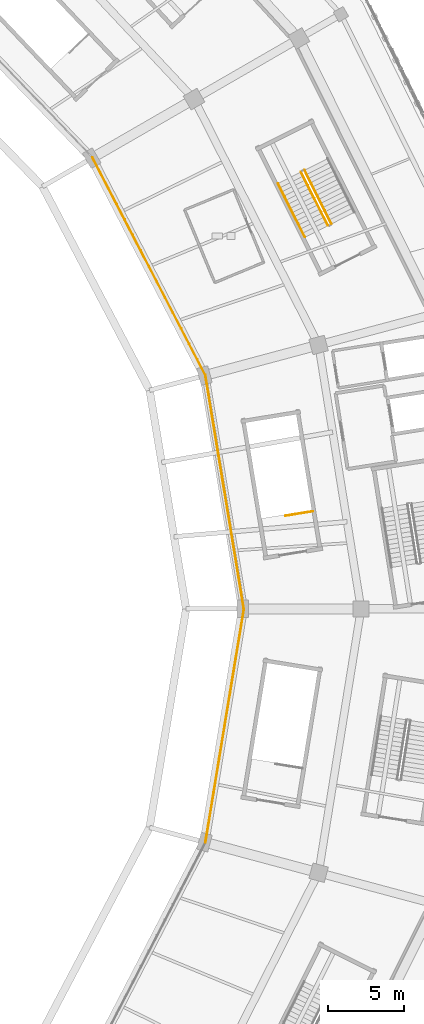
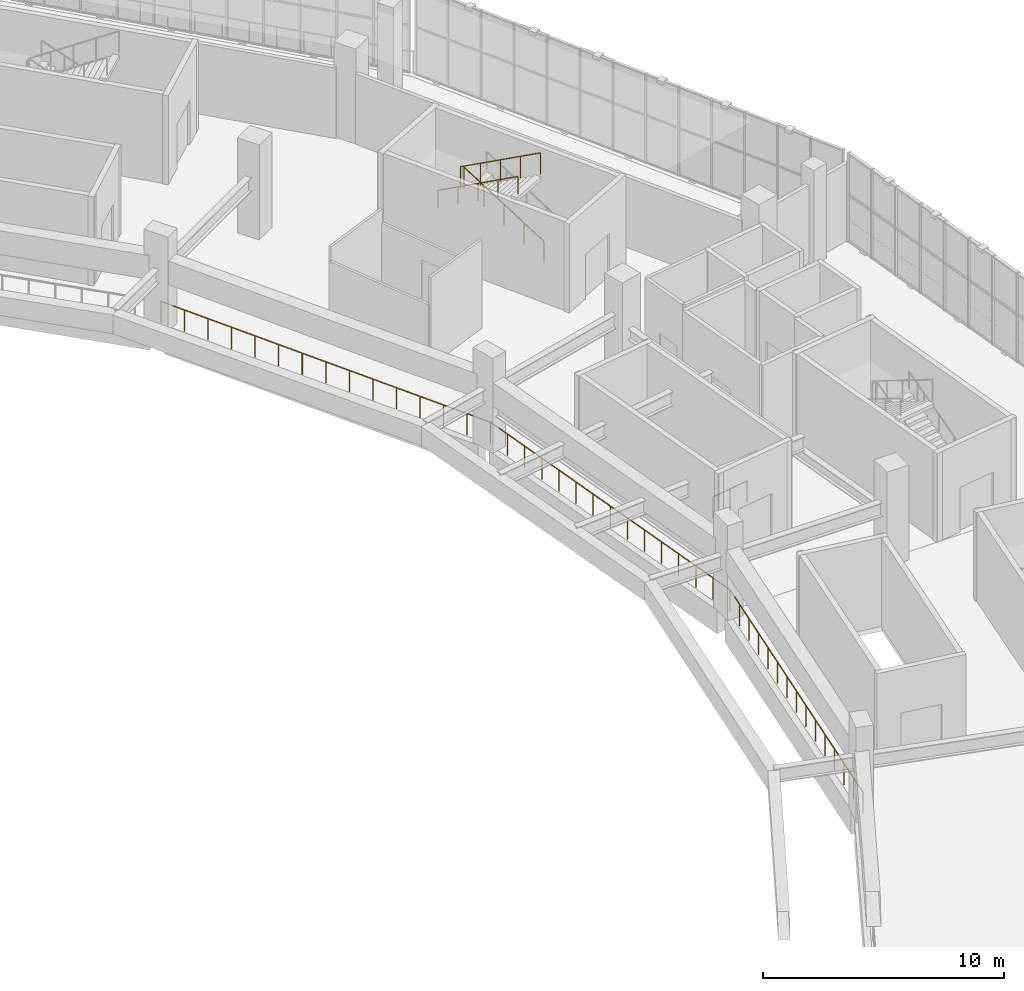
# One storey, part 152 of 179: 7 railings.
"""IFC4 building model written with IfcOpenShell, lengths in metres."""

import ifcopenshell
import ifcopenshell.guid

model = None  # the IFC model being written
_history = None  # IfcOwnerHistory: only IFC2X3 demands one
_inside = {}  # id of a spatial element -> (the spatial element, [elements in it])
_under = {}  # id of a project, library or spatial element -> (it, [spatial elements below it])
_declared = {}  # id of a project -> (the project, [libraries it declares])
_typed = {}  # id of a type object -> (the type object, [elements of that type])
_made_of = {}  # id of a material, layer set ... -> (it, [elements and type objects made of it])


def new_model(schema):
    """Start an empty IFC model of exactly this schema.

    Asked for "IFC4X3", IfcOpenShell would pick the latest addendum, in which some entities
    have other attributes; the version numbers below select the first issue.
    IFC2X3 requires an IfcOwnerHistory on every rooted entity: one is made here for all.
    """
    global model, _history
    if schema == "IFC4X3":
        model = ifcopenshell.file(schema_version=(4, 3, 0, 0))
    else:
        model = ifcopenshell.file(schema=schema)
    _inside.clear()
    _under.clear()
    _declared.clear()
    _typed.clear()
    _made_of.clear()
    _history = None
    if model.schema == "IFC2X3":
        org = make("IfcOrganization", Name="unknown")
        user = make(
            "IfcPersonAndOrganization",
            ThePerson=make("IfcPerson", FamilyName="unknown"),
            TheOrganization=org,
        )
        app = make(
            "IfcApplication",
            ApplicationDeveloper=org,
            Version="unknown",
            ApplicationFullName="unknown",
            ApplicationIdentifier="unknown",
        )
        _history = make(
            "IfcOwnerHistory",
            OwningUser=user,
            OwningApplication=app,
            ChangeAction="ADDED",
            CreationDate=0,
        )
    return model


def make(cls, **values):
    """One entity of the class cls with the attributes given. An attribute that is None is left unset."""
    return model.create_entity(
        cls, **{name: value for name, value in values.items() if value is not None}
    )


def rooted(cls, **values):
    """An entity with a GlobalId (a new one), such as an element, a storey or a relation."""
    return make(cls, GlobalId=ifcopenshell.guid.new(), OwnerHistory=_history, **values)


def si_unit(unit_type, name, prefix=None):
    """IfcSIUnit, for example si_unit("LENGTHUNIT", "METRE", prefix="MILLI")."""
    return make("IfcSIUnit", UnitType=unit_type, Prefix=prefix, Name=name)


def assignment(units):
    """IfcUnitAssignment: the units of a project."""
    return None if units is None else make("IfcUnitAssignment", Units=units)


def point(xyz):
    """IfcCartesianPoint."""
    return None if xyz is None else make("IfcCartesianPoint", Coordinates=xyz)


def direction(xyz):
    """IfcDirection."""
    return None if xyz is None else make("IfcDirection", DirectionRatios=xyz)


def frame(location, z_axis=None, x_axis=None):
    """IfcAxis2Placement3D, a coordinate frame: its origin and axes. An axis left out is left unset."""
    return make(
        "IfcAxis2Placement3D",
        Location=point(location),
        Axis=direction(z_axis),
        RefDirection=direction(x_axis),
    )


def frame_2d(location, x_axis=None):
    """IfcAxis2Placement2D, a coordinate frame in the plane: its origin and x axis."""
    return make(
        "IfcAxis2Placement2D", Location=point(location), RefDirection=direction(x_axis)
    )


def origin():
    """The frame at (0, 0, 0) with its axes left unset."""
    return frame((0.0, 0.0, 0.0))


def origin_2d():
    """The frame at (0, 0) in the plane with its x axis left unset."""
    return frame_2d((0.0, 0.0))


def place(relative_to, where):
    """IfcLocalPlacement: puts the frame where relative to a parent placement (None: the world)."""
    return make(
        "IfcLocalPlacement", PlacementRelTo=relative_to, RelativePlacement=where
    )


def context(
    kind, dimensions, precision=None, world=None, true_north=None, identifier=None
):
    """IfcGeometricRepresentationContext, for example the 3D "Model" context."""
    return make(
        "IfcGeometricRepresentationContext",
        ContextIdentifier=identifier,
        ContextType=kind,
        CoordinateSpaceDimension=dimensions,
        Precision=precision,
        WorldCoordinateSystem=world,
        TrueNorth=true_north,
    )


def subcontext(parent, identifier, kind, view, scale=None):
    """IfcGeometricRepresentationSubContext, for example "Body" below "Model"."""
    return make(
        "IfcGeometricRepresentationSubContext",
        ContextIdentifier=identifier,
        ContextType=kind,
        ParentContext=parent,
        TargetScale=scale,
        TargetView=view,
    )


def project(units=None, contexts=None):
    """IfcProject with its units and contexts."""
    return rooted(
        "IfcProject",
        Name="project",
        RepresentationContexts=contexts,
        UnitsInContext=assignment(units),
    )


def spatial(cls, under=None, at=None, **own):
    """A site, building, storey or space (cls), placed at a placement, below another one or the project."""
    s = rooted(cls, ObjectPlacement=at, **own)
    if under is not None:
        _under.setdefault(under.id(), (under, []))[1].append(s)
    return s


def profile(cls, at=None, kind="AREA", **sizes):
    """A parametric profile (cls). Its sizes go by their IFC names, for example OverallWidth=200.0."""
    return make(cls, ProfileType=kind, Position=at, **sizes)


def circle(**sizes):
    """IfcCircleProfileDef."""
    return profile("IfcCircleProfileDef", **sizes)


def extrude(swept, where, along, depth):
    """IfcExtrudedAreaSolid: the profile swept, set in the frame where, extruded along a direction by depth."""
    return make(
        "IfcExtrudedAreaSolid",
        SweptArea=swept,
        Position=where,
        ExtrudedDirection=direction(along),
        Depth=depth,
    )


def shape(context_of_items, identifier, shape_type, items):
    """IfcShapeRepresentation: the items that make up one representation, for example the "Body"."""
    return make(
        "IfcShapeRepresentation",
        ContextOfItems=context_of_items,
        RepresentationIdentifier=identifier,
        RepresentationType=shape_type,
        Items=items,
    )


def material(Name=None, Category=None):
    """IfcMaterial."""
    return make("IfcMaterial", Name=Name, Category=Category)


def made_of(thing, what):
    """Note that an element or type object is made of a material, layer set ...; save() writes the relation."""
    if what is not None:
        _made_of.setdefault(what.id(), (what, []))[1].append(thing)
    return thing


def type_object(cls, material=None, **own):
    """A type object (cls), such as IfcWallType, which elements share."""
    return made_of(rooted(cls, **own), material)


def element(
    cls,
    number,
    at=None,
    inside=None,
    cuts=None,
    type_object=None,
    material=None,
    context=None,
    identifier="Body",
    shape_type=None,
    held_by="IfcProductDefinitionShape",
    body=None,
    shapes=None,
    **own,
):
    """One element of the class cls, such as IfcWall. Its Tag is "e" and its number.

    at: its placement. inside: the storey or other place that contains it. cuts: it is an
    opening in that element (IfcRelVoidsElement). A single representation is given by context,
    identifier, shape_type and body (its items); several are given by shapes. held_by: the class
    of the entity that holds the representations. save() writes the other relations.
    """
    e = rooted(cls, Tag="e%d" % number, ObjectPlacement=at, **own)
    if body is not None:
        shapes = [shape(context, identifier, shape_type, body)]
    if shapes is not None:
        e.Representation = make(held_by, Representations=shapes)
    if inside is not None:
        _inside.setdefault(inside.id(), (inside, []))[1].append(e)
    if cuts is not None:
        rooted(
            "IfcRelVoidsElement", RelatingBuildingElement=cuts, RelatedOpeningElement=e
        )
    if type_object is not None:
        _typed.setdefault(type_object.id(), (type_object, []))[1].append(e)
    return made_of(e, material)


def aggregate(whole, parts):
    """IfcRelAggregates: a whole, such as a stair, and the parts it consists of."""
    return rooted("IfcRelAggregates", RelatingObject=whole, RelatedObjects=parts)


def save(model, path):
    """Write the relations noted so far, then the file.

    IfcRelAggregates (storeys below a building ...), IfcRelContainedInSpatialStructure (elements
    in a storey), IfcRelDefinesByType, IfcRelAssociatesMaterial and IfcRelDeclares: one each for
    every whole, place, type object, material and project.
    """
    for whole, parts in _under.values():
        aggregate(whole, parts)
    for where, things in _inside.values():
        rooted(
            "IfcRelContainedInSpatialStructure",
            RelatedElements=things,
            RelatingStructure=where,
        )
    for kind, things in _typed.values():
        rooted("IfcRelDefinesByType", RelatedObjects=things, RelatingType=kind)
    for what, things in _made_of.values():
        rooted("IfcRelAssociatesMaterial", RelatedObjects=things, RelatingMaterial=what)
    for by, libraries in _declared.values():
        rooted("IfcRelDeclares", RelatingContext=by, RelatedDefinitions=libraries)
    model.write(path)


model = new_model("IFC4")

# Units and contexts
model_context = context("Model", 3, precision=1e-05, world=origin(), true_north=direction((0.0, 1.0)))
body_context = subcontext(model_context, "Body", "Model", "MODEL_VIEW")
ifc_project = project(units=[si_unit("LENGTHUNIT", "METRE"), si_unit("AREAUNIT", "SQUARE_METRE"), si_unit("VOLUMEUNIT", "CUBIC_METRE"), si_unit("PLANEANGLEUNIT", "RADIAN"), si_unit("MASSUNIT", "GRAM", prefix="KILO")], contexts=[model_context])

# Site, building, storey
site_placement = place(None, origin())
site = spatial("IfcSite", under=ifc_project, at=site_placement, CompositionType="ELEMENT")
building_placement = place(site_placement, origin())
building = spatial("IfcBuilding", under=site, at=building_placement, Name="Zevraka Park Crest Stadium", CompositionType="ELEMENT")
storey_placement = place(building_placement, frame((0.0, 0.0, 10.199951171875)))
storey = spatial("IfcBuildingStorey", under=building, at=storey_placement, Name="L02", CompositionType="ELEMENT", Elevation=10.199951171875)

# Railings
ifc_material_1 = material(Name="Galvanised and bronze-finished steel balustrade", Category="steel")
railing_type_1 = type_object("IfcRailingType", Name="GR01", PredefinedType="GUARDRAIL", material=ifc_material_1)
railing_1_placement = place(storey_placement, frame((184.02587890625, 76.574951171875, 0.0)))
element("IfcRailing", 1, at=railing_1_placement, inside=storey, type_object=railing_type_1, Name="Deck Edge Protection Guardrail GR01 L02-62", PredefinedType="GUARDRAIL", context=body_context, shape_type="SweptSolid", body=[
    extrude(circle(Radius=0.02392578125, at=origin_2d()), frame((0.0, 0.0, 1.076171875), z_axis=(0.162758060449, 0.986666009224, 0.0), x_axis=(-0.986666009224, 0.162758060449, 0.0)), (0.0, 0.0, 1.0), 15.6123046875),
    extrude(circle(Radius=0.02099609375, at=origin_2d()), origin(), (0.0, 0.0, 1.0), 1.052001953125),
    extrude(circle(Radius=0.02099609375, at=origin_2d()), frame((0.181396484375, 1.100341796875, 0.0)), (0.0, 0.0, 1.0), 1.052001953125),
    extrude(circle(Radius=0.02099609375, at=origin_2d()), frame((0.363037109375, 2.20068359375, 0.0)), (0.0, 0.0, 1.0), 1.052001953125),
    extrude(circle(Radius=0.02099609375, at=origin_2d()), frame((0.54443359375, 3.30078125, 0.0)), (0.0, 0.0, 1.0), 1.052001953125),
    extrude(circle(Radius=0.02099609375, at=origin_2d()), frame((0.72607421875, 4.401123046875, 0.0)), (0.0, 0.0, 1.0), 1.052001953125),
    extrude(circle(Radius=0.02099609375, at=origin_2d()), frame((0.907470703125, 5.50146484375, 0.0)), (0.0, 0.0, 1.0), 1.052001953125),
    extrude(circle(Radius=0.02099609375, at=origin_2d()), frame((1.089111328125, 6.601806640625, 0.0)), (0.0, 0.0, 1.0), 1.052001953125),
    extrude(circle(Radius=0.02099609375, at=origin_2d()), frame((1.2705078125, 7.7021484375, 0.0)), (0.0, 0.0, 1.0), 1.052001953125),
    extrude(circle(Radius=0.02099609375, at=origin_2d()), frame((1.451904296875, 8.80224609375, 0.0)), (0.0, 0.0, 1.0), 1.052001953125),
    extrude(circle(Radius=0.02099609375, at=origin_2d()), frame((1.633544921875, 9.902587890625, 0.0)), (0.0, 0.0, 1.0), 1.052001953125),
    extrude(circle(Radius=0.02099609375, at=origin_2d()), frame((1.81494140625, 11.0029296875, 0.0)), (0.0, 0.0, 1.0), 1.052001953125),
    extrude(circle(Radius=0.02099609375, at=origin_2d()), frame((1.99658203125, 12.103271484375, 0.0)), (0.0, 0.0, 1.0), 1.052001953125),
    extrude(circle(Radius=0.02099609375, at=origin_2d()), frame((2.177978515625, 13.203369140625, 0.0)), (0.0, 0.0, 1.0), 1.052001953125),
    extrude(circle(Radius=0.02099609375, at=origin_2d()), frame((2.359619140625, 14.3037109375, 0.0)), (0.0, 0.0, 1.0), 1.052001953125),
    extrude(circle(Radius=0.02099609375, at=origin_2d()), frame((2.541015625, 15.404052734375, 0.0)), (0.0, 0.0, 1.0), 1.052001953125),
])
railing_2_placement = place(storey_placement, frame((186.56689453125, 91.97900390625, 0.0)))
element("IfcRailing", 2, at=railing_2_placement, inside=storey, type_object=railing_type_1, Name="Deck Edge Protection Guardrail GR01 L02-63", PredefinedType="GUARDRAIL", context=body_context, shape_type="SweptSolid", body=[
    extrude(circle(Radius=0.02392578125, at=origin_2d()), frame((0.0, 0.0, 1.076171875), z_axis=(-0.162327255265, 0.986736977212, 0.0), x_axis=(-0.986736977212, -0.162327255265, 0.0)), (0.0, 0.0, 1.0), 15.653564453125),
    extrude(circle(Radius=0.02099609375, at=origin_2d()), origin(), (0.0, 0.0, 1.0), 1.052001953125),
    extrude(circle(Radius=0.02099609375, at=origin_2d()), frame((-0.181396484375, 1.103271484375, 0.0)), (0.0, 0.0, 1.0), 1.052001953125),
    extrude(circle(Radius=0.02099609375, at=origin_2d()), frame((-0.363037109375, 2.20654296875, 0.0)), (0.0, 0.0, 1.0), 1.052001953125),
    extrude(circle(Radius=0.02099609375, at=origin_2d()), frame((-0.54443359375, 3.309814453125, 0.0)), (0.0, 0.0, 1.0), 1.052001953125),
    extrude(circle(Radius=0.02099609375, at=origin_2d()), frame((-0.72607421875, 4.4130859375, 0.0)), (0.0, 0.0, 1.0), 1.052001953125),
    extrude(circle(Radius=0.02099609375, at=origin_2d()), frame((-0.907470703125, 5.516357421875, 0.0)), (0.0, 0.0, 1.0), 1.052001953125),
    extrude(circle(Radius=0.02099609375, at=origin_2d()), frame((-1.089111328125, 6.61962890625, 0.0)), (0.0, 0.0, 1.0), 1.052001953125),
    extrude(circle(Radius=0.02099609375, at=origin_2d()), frame((-1.2705078125, 7.72314453125, 0.0)), (0.0, 0.0, 1.0), 1.052001953125),
    extrude(circle(Radius=0.02099609375, at=origin_2d()), frame((-1.451904296875, 8.826416015625, 0.0)), (0.0, 0.0, 1.0), 1.052001953125),
    extrude(circle(Radius=0.02099609375, at=origin_2d()), frame((-1.633544921875, 9.9296875, 0.0)), (0.0, 0.0, 1.0), 1.052001953125),
    extrude(circle(Radius=0.02099609375, at=origin_2d()), frame((-1.81494140625, 11.032958984375, 0.0)), (0.0, 0.0, 1.0), 1.052001953125),
    extrude(circle(Radius=0.02099609375, at=origin_2d()), frame((-1.99658203125, 12.13623046875, 0.0)), (0.0, 0.0, 1.0), 1.052001953125),
    extrude(circle(Radius=0.02099609375, at=origin_2d()), frame((-2.177978515625, 13.239501953125, 0.0)), (0.0, 0.0, 1.0), 1.052001953125),
    extrude(circle(Radius=0.02099609375, at=origin_2d()), frame((-2.359619140625, 14.3427734375, 0.0)), (0.0, 0.0, 1.0), 1.052001953125),
    extrude(circle(Radius=0.02099609375, at=origin_2d()), frame((-2.541015625, 15.446044921875, 0.0)), (0.0, 0.0, 1.0), 1.052001953125),
])
railing_3_placement = place(storey_placement, frame((184.02587890625, 107.425048828125, 0.0)))
element("IfcRailing", 3, at=railing_3_placement, inside=storey, type_object=railing_type_1, Name="Deck Edge Protection Guardrail GR01 L02-64", PredefinedType="GUARDRAIL", context=body_context, shape_type="SweptSolid", body=[
    extrude(circle(Radius=0.02392578125, at=origin_2d()), frame((0.0, 0.0, 1.076171875), z_axis=(-0.460468997902, 0.887675786518, 0.0), x_axis=(-0.887675786518, -0.460468997902, 0.0)), (0.0, 0.0, 1.0), 16.19189453125),
    extrude(circle(Radius=0.02099609375, at=origin_2d()), origin(), (0.0, 0.0, 1.0), 1.052001953125),
    extrude(circle(Radius=0.02099609375, at=origin_2d()), frame((-0.532470703125, 1.026611328125, 0.0)), (0.0, 0.0, 1.0), 1.052001953125),
    extrude(circle(Radius=0.02099609375, at=origin_2d()), frame((-1.065185546875, 2.05322265625, 0.0)), (0.0, 0.0, 1.0), 1.052001953125),
    extrude(circle(Radius=0.02099609375, at=origin_2d()), frame((-1.59765625, 3.079833984375, 0.0)), (0.0, 0.0, 1.0), 1.052001953125),
    extrude(circle(Radius=0.02099609375, at=origin_2d()), frame((-2.130126953125, 4.106689453125, 0.0)), (0.0, 0.0, 1.0), 1.052001953125),
    extrude(circle(Radius=0.02099609375, at=origin_2d()), frame((-2.662841796875, 5.13330078125, 0.0)), (0.0, 0.0, 1.0), 1.052001953125),
    extrude(circle(Radius=0.02099609375, at=origin_2d()), frame((-3.1953125, 6.159912109375, 0.0)), (0.0, 0.0, 1.0), 1.052001953125),
    extrude(circle(Radius=0.02099609375, at=origin_2d()), frame((-3.72802734375, 7.1865234375, 0.0)), (0.0, 0.0, 1.0), 1.052001953125),
    extrude(circle(Radius=0.02099609375, at=origin_2d()), frame((-4.260498046875, 8.213134765625, 0.0)), (0.0, 0.0, 1.0), 1.052001953125),
    extrude(circle(Radius=0.02099609375, at=origin_2d()), frame((-4.79296875, 9.23974609375, 0.0)), (0.0, 0.0, 1.0), 1.052001953125),
    extrude(circle(Radius=0.02099609375, at=origin_2d()), frame((-5.32568359375, 10.266357421875, 0.0)), (0.0, 0.0, 1.0), 1.052001953125),
    extrude(circle(Radius=0.02099609375, at=origin_2d()), frame((-5.858154296875, 11.293212890625, 0.0)), (0.0, 0.0, 1.0), 1.052001953125),
    extrude(circle(Radius=0.02099609375, at=origin_2d()), frame((-6.390625, 12.31982421875, 0.0)), (0.0, 0.0, 1.0), 1.052001953125),
    extrude(circle(Radius=0.02099609375, at=origin_2d()), frame((-6.92333984375, 13.346435546875, 0.0)), (0.0, 0.0, 1.0), 1.052001953125),
    extrude(circle(Radius=0.02099609375, at=origin_2d()), frame((-7.455810546875, 14.373046875, 0.0)), (0.0, 0.0, 1.0), 1.052001953125),
])
ifc_material_2 = material(Name="Powder-coated tubular steel stairwell guard", Category="steel")
railing_type_2 = type_object("IfcRailingType", Name="GR03", PredefinedType="GUARDRAIL", material=ifc_material_2)
railing_4_placement = place(storey_placement, frame((192.3466796875, 117.413330078125, 0.17138671875)))
element("IfcRailing", 4, at=railing_4_placement, inside=storey, type_object=railing_type_2, Name="L02 ST02 stair guard 1", PredefinedType="GUARDRAIL", context=body_context, shape_type="SweptSolid", body=[
    extrude(circle(Radius=0.02392578125, at=origin_2d()), frame((0.0, 0.0, 1.076171875), z_axis=(-0.390489200891, 0.779368137037, 0.490003562191), x_axis=(-0.894057440576, -0.447952333346, 0.0)), (0.0, 0.0, 1.0), 4.54833984375),
    extrude(circle(Radius=0.02099609375, at=origin_2d()), origin(), (0.0, 0.0, 1.0), 1.052001953125),
    extrude(circle(Radius=0.02099609375, at=origin_2d()), frame((-0.444091796875, 0.88623046875, 0.55712890625)), (0.0, 0.0, 1.0), 1.052001953125),
    extrude(circle(Radius=0.02099609375, at=origin_2d()), frame((-0.88818359375, 1.7724609375, 1.1142578125)), (0.0, 0.0, 1.0), 1.052001953125),
    extrude(circle(Radius=0.02099609375, at=origin_2d()), frame((-1.33203125, 2.65869140625, 1.671630859375)), (0.0, 0.0, 1.0), 1.052001953125),
    extrude(circle(Radius=0.02099609375, at=origin_2d()), frame((-1.776123046875, 3.544921875, 2.228759765625)), (0.0, 0.0, 1.0), 1.052001953125),
])
railing_5_placement = place(storey_placement, frame((190.338134765625, 120.841796875, 2.571533203125)))
element("IfcRailing", 5, at=railing_5_placement, inside=storey, type_object=railing_type_2, Name="L02 ST02 stair guard 3", PredefinedType="GUARDRAIL", context=body_context, shape_type="SweptSolid", body=[
    extrude(circle(Radius=0.02392578125, at=origin_2d()), frame((0.0, 0.0, 1.076171875), z_axis=(0.39045397791, -0.779404971028, 0.489973042393), x_axis=(0.894082100069, 0.447903112666, 0.0)), (0.0, 0.0, 1.0), 4.54833984375),
    extrude(circle(Radius=0.02099609375, at=origin_2d()), origin(), (0.0, 0.0, 1.0), 1.052001953125),
    extrude(circle(Radius=0.02099609375, at=origin_2d()), frame((0.44384765625, -0.88623046875, 0.55712890625)), (0.0, 0.0, 1.0), 1.052001953125),
    extrude(circle(Radius=0.02099609375, at=origin_2d()), frame((0.887939453125, -1.7724609375, 1.1142578125)), (0.0, 0.0, 1.0), 1.052001953125),
    extrude(circle(Radius=0.02099609375, at=origin_2d()), frame((1.33203125, -2.65869140625, 1.67138671875)), (0.0, 0.0, 1.0), 1.052001953125),
    extrude(circle(Radius=0.02099609375, at=origin_2d()), frame((1.77587890625, -3.544921875, 2.228515625)), (0.0, 0.0, 1.0), 1.052001953125),
])
railing_6_placement = place(storey_placement, frame((191.105224609375, 98.434814453125, 0.0)))
element("IfcRailing", 6, at=railing_6_placement, inside=storey, type_object=railing_type_2, Name="L02 ST33 top well guard 1", PredefinedType="GUARDRAIL", context=body_context, shape_type="SweptSolid", body=[
    extrude(circle(Radius=0.02392578125, at=origin_2d()), frame((0.0, 0.0, 1.076171875), z_axis=(-0.987010254742, -0.160657265737, 0.0), x_axis=(0.160657265737, -0.987010254742, 0.0)), (0.0, 0.0, 1.0), 1.809814453125),
    extrude(circle(Radius=0.02099609375, at=origin_2d()), origin(), (0.0, 0.0, 1.0), 1.052001953125),
    extrude(circle(Radius=0.02099609375, at=origin_2d()), frame((-0.89306640625, -0.1455078125, 0.0)), (0.0, 0.0, 1.0), 1.052001953125),
    extrude(circle(Radius=0.02099609375, at=origin_2d()), frame((-1.786376953125, -0.290771484375, 0.0)), (0.0, 0.0, 1.0), 1.052001953125),
])
ifc_material_3 = material(Name="Brushed stainless steel continuous handrail", Category="steel")
railing_type_3 = type_object("IfcRailingType", Name="HR01", PredefinedType="HANDRAIL", material=ifc_material_3)
railing_7_placement = place(storey_placement, frame((188.818115234375, 120.080322265625, 2.571533203125)))
element("IfcRailing", 7, at=railing_7_placement, inside=storey, type_object=railing_type_3, Name="L02 ST02 stair handrail 2", PredefinedType="HANDRAIL", context=body_context, shape_type="SweptSolid", body=[
    extrude(circle(Radius=0.02392578125, at=origin_2d()), frame((0.0, 0.0, 0.8759765625), z_axis=(0.390499471061, -0.779388635026, 0.489962772763), x_axis=(0.894057440576, 0.447952333346, 0.0)), (0.0, 0.0, 1.0), 4.54833984375),
    extrude(circle(Radius=0.02099609375, at=origin_2d()), origin(), (0.0, 0.0, 1.0), 0.851806640625),
    extrude(circle(Radius=0.02099609375, at=origin_2d()), frame((0.444091796875, -0.88623046875, 0.55712890625)), (0.0, 0.0, 1.0), 0.851806640625),
    extrude(circle(Radius=0.02099609375, at=origin_2d()), frame((0.88818359375, -1.7724609375, 1.1142578125)), (0.0, 0.0, 1.0), 0.851806640625),
    extrude(circle(Radius=0.02099609375, at=origin_2d()), frame((1.33203125, -2.65869140625, 1.67138671875)), (0.0, 0.0, 1.0), 0.851806640625),
    extrude(circle(Radius=0.02099609375, at=origin_2d()), frame((1.776123046875, -3.544921875, 2.228515625)), (0.0, 0.0, 1.0), 0.851806640625),
])

save(model, "model.ifc")
